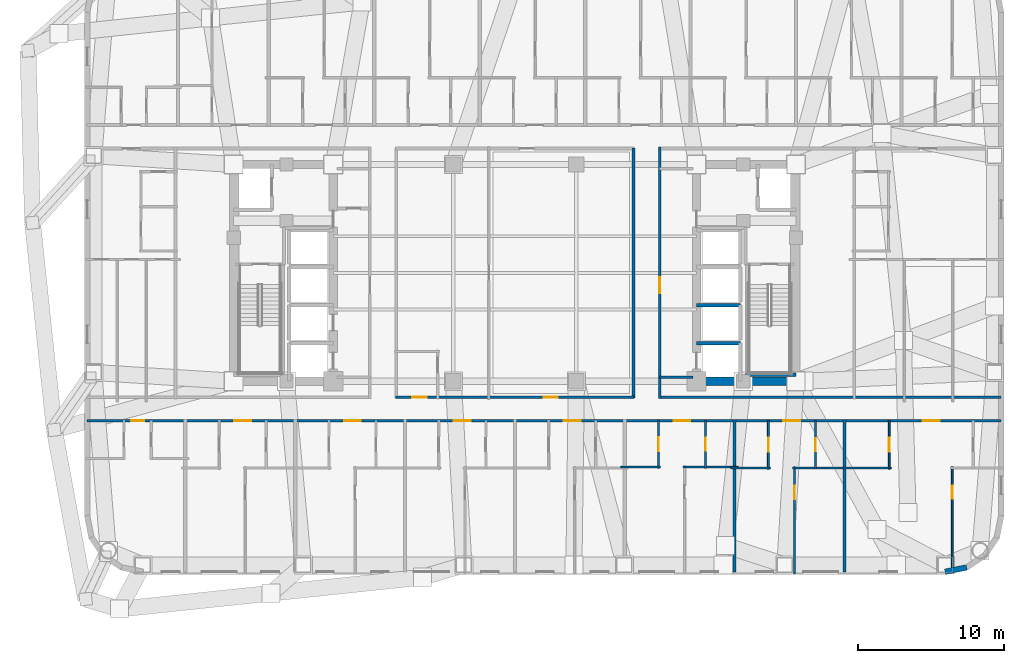
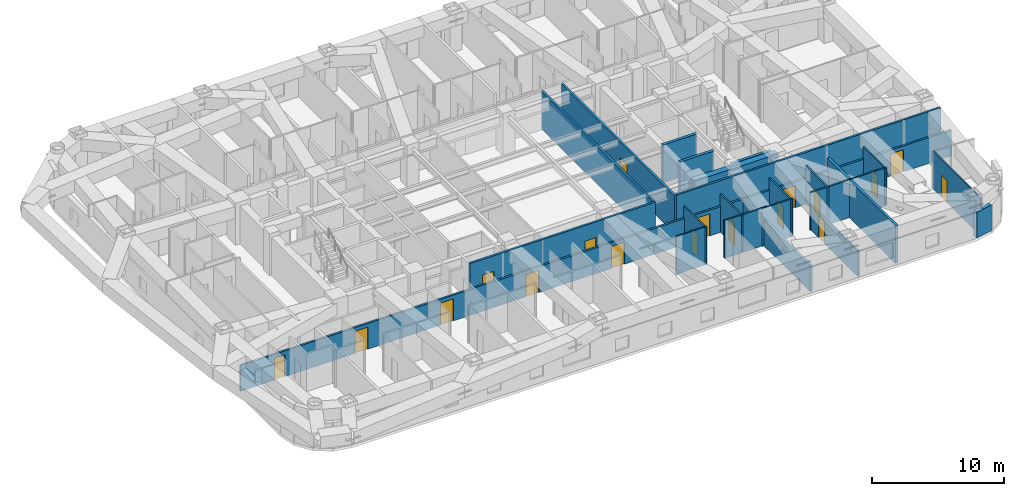
# One storey, part 7 of 14: 25 walls, 18 doors, 18 openings.
"""IFC4 building model written with IfcOpenShell, lengths in metres."""

from ifc_helpers import new_model, si_unit, direction, frame, frame_2d, origin, place, context, subcontext, project, spatial, rectangle, extrude, material, layer, layer_set, type_object, element, fill, save


model = new_model("IFC4")

# Units and contexts
model_context = context("Model", 3, precision=1e-05, world=origin(), true_north=direction((0.0, 1.0)))
body_context = subcontext(model_context, "Body", "Model", "MODEL_VIEW")
ifc_project = project(units=[si_unit("LENGTHUNIT", "METRE"), si_unit("AREAUNIT", "SQUARE_METRE"), si_unit("VOLUMEUNIT", "CUBIC_METRE"), si_unit("PLANEANGLEUNIT", "RADIAN"), si_unit("MASSUNIT", "GRAM", prefix="KILO")], contexts=[model_context])

# Site, building, storey
site_placement = place(None, origin())
site = spatial("IfcSite", under=ifc_project, at=site_placement, CompositionType="ELEMENT")
building_placement = place(site_placement, origin())
building = spatial("IfcBuilding", under=site, at=building_placement, Name="Voryun Gate Residences", CompositionType="ELEMENT")
storey_placement = place(building_placement, frame((0.0, 0.0, 136.5)))
storey = spatial("IfcBuildingStorey", under=building, at=storey_placement, Name="L33", CompositionType="ELEMENT", Elevation=136.5)

# Walls
ifc_material_1 = material(Name="Concrete C60/75", Category="concrete")
ifc_layer_1 = layer(ifc_material_1, 0.550048828125, Name="CW_CORE_550")
ifc_layer_set_1 = layer_set([ifc_layer_1], Name="Concrete C60/75")
wall_type_1 = type_object("IfcWallType", Name="CW_CORE_550", PredefinedType="SHEAR", material=ifc_layer_set_1)
wall_1_placement = place(storey_placement, frame((12.125, -7.39990234375, 0.0), z_axis=(0.0, 0.0, 1.0), x_axis=(1.0, 0.0, 0.0)))
element("IfcWall", 1, at=wall_1_placement, inside=storey, type_object=wall_type_1, Name="L33 Core shear wall CW-L33-ES", PredefinedType="SHEAR", context=body_context, shape_type="SweptSolid", body=[
    extrude(rectangle(XDim=7.35009765625, YDim=0.550048828125, at=frame_2d((3.675048828125, 0.0))), origin(), (0.0, 0.0, 1.0), 3.5),
])
ifc_material_2 = material(Name="Gypsum acoustic fireboard")
ifc_layer_2 = layer(ifc_material_2, 0.179931640625, Name="W_CORR_RATED_180")
ifc_layer_set_2 = layer_set([ifc_layer_2], Name="Gypsum acoustic fireboard")
wall_type_2 = type_object("IfcWallType", Name="W_CORR_RATED_180", PredefinedType="PARTITIONING", material=ifc_layer_set_2)
wall_2_placement = place(storey_placement, frame((9.8798828125, -7.1201171875, 0.0), z_axis=(0.0, 0.0, 1.0), x_axis=(1.0, 0.0, 0.0)))
element("IfcWall", 2, at=wall_2_placement, inside=storey, type_object=wall_type_2, Name="Partition wall WP-L33-PLBS-E", PredefinedType="PARTITIONING", context=body_context, shape_type="SweptSolid", body=[
    extrude(rectangle(XDim=2.27001953125, YDim=0.179931640625, at=frame_2d((1.135009765625, 0.0))), origin(), (0.0, 0.0, 1.0), 2.5400390625),
])

# Wall, opening, door
wall_3_placement = place(storey_placement, frame((9.89990234375, -8.580078125, 0.0), z_axis=(0.0, 0.0, 1.0), x_axis=(0.0, 1.0, 0.0)))
wall_3 = element("IfcWall", 3, at=wall_3_placement, inside=storey, type_object=wall_type_2, Name="Partition wall WP-L33-PLBE-FULL", PredefinedType="PARTITIONING", context=body_context, shape_type="SweptSolid", body=[
    extrude(rectangle(XDim=17.16015625, YDim=0.179931640625, at=frame_2d((8.580078125, 0.0))), origin(), (0.0, 0.0, 1.0), 3.5),
])
opening_1_placement = place(wall_3_placement, frame((7.172119140625, 0.0, 0.0)))
opening_1 = element("IfcOpeningElement", 4, at=opening_1_placement, cuts=wall_3, Name="Opening D-FD60-2", PredefinedType="OPENING", context=body_context, shape_type="SweptSolid", body=[
    extrude(rectangle(XDim=1.10009765625, YDim=2.050048828125, at=frame_2d((0.550048828125, 1.02490234375))), frame((0.0, 0.099853515625, 0.0), z_axis=(0.0, -1.0, 0.0), x_axis=(1.0, 0.0, 0.0)), (0.0, 0.0, 1.0), 0.199951171875),
])
ifc_material_3 = material(Name="Painted steel fire door", Category="steel")
door_type_1 = type_object("IfcDoorType", Name="DR_FD60_FFLOB_1100", OperationType="NOTDEFINED", PredefinedType="DOOR", material=ifc_material_3)
door_1_placement = place(opening_1_placement, origin())
door_1 = element("IfcDoor", 5, at=door_1_placement, inside=storey, type_object=door_type_1, Name="Door DR-L33-PLBE-COR", OperationType="SINGLE_SWING_RIGHT", OverallHeight=2.050048828125, OverallWidth=1.10009765625, PredefinedType="DOOR", context=body_context, shape_type="SweptSolid", body=[
    extrude(rectangle(XDim=1.10009765625, YDim=2.050048828125, at=frame_2d((0.550048828125, 1.02490234375))), frame((0.0, 0.02490234375, 0.0), z_axis=(0.0, -1.0, 0.0), x_axis=(1.0, 0.0, 0.0)), (0.0, 0.0, 1.0), 0.050048828125),
])
fill(opening_1, door_1)

# Wall
wall_4_placement = place(storey_placement, frame((9.8798828125, -8.489990234375, 0.0), z_axis=(0.0, 0.0, 1.0), x_axis=(1.0, 0.0, 0.0)))
element("IfcWall", 6, at=wall_4_placement, inside=storey, type_object=wall_type_2, Name="Partition wall WP-L33-CWING-ES", PredefinedType="PARTITIONING", context=body_context, shape_type="SweptSolid", body=[
    extrude(rectangle(XDim=23.330078125, YDim=0.179931640625, at=frame_2d((11.6650390625, 0.0))), origin(), (0.0, 0.0, 1.0), 3.5),
])

# Wall, openings, doors
wall_5_placement = place(storey_placement, frame((-8.14990234375, -8.489990234375, 0.0), z_axis=(0.0, 0.0, 1.0), x_axis=(1.0, 0.0, 0.0)))
wall_5 = element("IfcWall", 7, at=wall_5_placement, inside=storey, type_object=wall_type_2, Name="Partition wall WP-L33-Z1S", PredefinedType="PARTITIONING", context=body_context, shape_type="SweptSolid", body=[
    extrude(rectangle(XDim=16.2998046875, YDim=0.179931640625, at=frame_2d((8.14990234375, 0.0))), origin(), (0.0, 0.0, 1.0), 3.5),
])
opening_2_placement = place(wall_5_placement, frame((1.1298828125, 0.0, 0.0)))
opening_2 = element("IfcOpeningElement", 8, at=opening_2_placement, cuts=wall_5, Name="Opening D-AWC-1", PredefinedType="OPENING", context=body_context, shape_type="SweptSolid", body=[
    extrude(rectangle(XDim=1.0, YDim=2.050048828125, at=frame_2d((0.5, 1.02490234375))), frame((0.0, 0.099853515625, 0.0), z_axis=(0.0, -1.0, 0.0), x_axis=(1.0, 0.0, 0.0)), (0.0, 0.0, 1.0), 0.199951171875),
])
opening_3_placement = place(wall_5_placement, frame((10.1201171875, 0.0, 0.0)))
opening_3 = element("IfcOpeningElement", 9, at=opening_3_placement, cuts=wall_5, Name="Opening D-INT-1", PredefinedType="OPENING", context=body_context, shape_type="SweptSolid", body=[
    extrude(rectangle(XDim=0.949951171875, YDim=2.050048828125, at=frame_2d((0.47509765625, 1.02490234375))), frame((0.0, 0.099853515625, 0.0), z_axis=(0.0, -1.0, 0.0), x_axis=(1.0, 0.0, 0.0)), (0.0, 0.0, 1.0), 0.199951171875),
])
ifc_material_4 = material(Name="Architectural oak veneer")
door_type_2 = type_object("IfcDoorType", Name="DR_ACC_WC_1000", OperationType="NOTDEFINED", PredefinedType="DOOR", material=ifc_material_4)
door_2_placement = place(opening_2_placement, origin())
door_2 = element("IfcDoor", 10, at=door_2_placement, inside=storey, type_object=door_type_2, Name="Door DR-L33-CMWC-D", OperationType="SINGLE_SWING_LEFT", OverallHeight=2.050048828125, OverallWidth=1.0, PredefinedType="DOOR", context=body_context, shape_type="SweptSolid", body=[
    extrude(rectangle(XDim=1.0, YDim=2.050048828125, at=frame_2d((0.5, 1.02490234375))), frame((0.0, 0.02490234375, 0.0), z_axis=(0.0, -1.0, 0.0), x_axis=(1.0, 0.0, 0.0)), (0.0, 0.0, 1.0), 0.050048828125),
])
fill(opening_2, door_2)
ifc_material_5 = material(Name="Architectural oak veneer")
door_type_3 = type_object("IfcDoorType", Name="DR_INT_ROOM_950", OperationType="NOTDEFINED", PredefinedType="DOOR", material=ifc_material_5)
door_3_placement = place(opening_3_placement, origin())
door_3 = element("IfcDoor", 11, at=door_3_placement, inside=storey, type_object=door_type_3, Name="Door DR-L33-CMIDZ1S", OperationType="SINGLE_SWING_RIGHT", OverallHeight=2.050048828125, OverallWidth=0.949951171875, PredefinedType="DOOR", context=body_context, shape_type="SweptSolid", body=[
    extrude(rectangle(XDim=0.949951171875, YDim=2.050048828125, at=frame_2d((0.47509765625, 1.02490234375))), frame((0.0, 0.02490234375, 0.0), z_axis=(0.0, -1.0, 0.0), x_axis=(1.0, 0.0, 0.0)), (0.0, 0.0, 1.0), 0.050048828125),
])
fill(opening_3, door_3)

# Wall
wall_6_placement = place(storey_placement, frame((8.10009765625, -8.530029296875, 0.0), z_axis=(0.0, 0.0, 1.0), x_axis=(0.0, 1.0, 0.0)))
element("IfcWall", 12, at=wall_6_placement, inside=storey, type_object=wall_type_2, Name="Partition wall WP-L33-Z1E", PredefinedType="PARTITIONING", context=body_context, shape_type="SweptSolid", body=[
    extrude(rectangle(XDim=17.06005859375, YDim=0.179931640625, at=frame_2d((8.530029296875, 0.0))), origin(), (0.0, 0.0, 1.0), 3.5),
])

# Wall, openings, doors
wall_7_placement = place(storey_placement, frame((-29.2099609375, -10.10009765625, 0.0), z_axis=(0.0, 0.0, 1.0), x_axis=(1.0, 0.0, 0.0)))
wall_7 = element("IfcWall", 13, at=wall_7_placement, inside=storey, type_object=wall_type_2, Name="Partition wall WP-L33-SCORR", PredefinedType="PARTITIONING", context=body_context, shape_type="SweptSolid", body=[
    extrude(rectangle(XDim=62.419921875, YDim=0.179931640625, at=frame_2d((31.2099609375, 0.0))), origin(), (0.0, 0.0, 1.0), 2.389892578125),
])
opening_4_placement = place(wall_7_placement, frame((3.001708984375, 0.0, 0.0)))
opening_4 = element("IfcOpeningElement", 14, at=opening_4_placement, cuts=wall_7, Name="Opening D-INT-2", PredefinedType="OPENING", context=body_context, shape_type="SweptSolid", body=[
    extrude(rectangle(XDim=0.89990234375, YDim=2.050048828125, at=frame_2d((0.449951171875, 1.02490234375))), frame((0.0, 0.099853515625, 0.0), z_axis=(0.0, -1.0, 0.0), x_axis=(1.0, 0.0, 0.0)), (0.0, 0.0, 1.0), 0.199951171875),
])
opening_5_placement = place(wall_7_placement, frame((10.048828125, 0.0, 0.0)))
opening_5 = element("IfcOpeningElement", 15, at=opening_5_placement, cuts=wall_7, Name="Opening D-UNIT-1", PredefinedType="OPENING", context=body_context, shape_type="SweptSolid", body=[
    extrude(rectangle(XDim=1.14990234375, YDim=2.050048828125, at=frame_2d((0.574951171875, 1.02490234375))), frame((0.0, 0.099853515625, 0.0), z_axis=(0.0, -1.0, 0.0), x_axis=(1.0, 0.0, 0.0)), (0.0, 0.0, 1.0), 0.199951171875),
])
opening_6_placement = place(wall_7_placement, frame((17.5517578125, 0.0, 0.0)))
opening_6 = element("IfcOpeningElement", 16, at=opening_6_placement, cuts=wall_7, Name="Opening D-UNIT-1", PredefinedType="OPENING", context=body_context, shape_type="SweptSolid", body=[
    extrude(rectangle(XDim=1.14990234375, YDim=2.050048828125, at=frame_2d((0.574951171875, 1.02490234375))), frame((0.0, 0.099853515625, 0.0), z_axis=(0.0, -1.0, 0.0), x_axis=(1.0, 0.0, 0.0)), (0.0, 0.0, 1.0), 0.199951171875),
])
opening_7_placement = place(wall_7_placement, frame((25.04833984375, 0.0, 0.0)))
opening_7 = element("IfcOpeningElement", 17, at=opening_7_placement, cuts=wall_7, Name="Opening D-UNIT-1", PredefinedType="OPENING", context=body_context, shape_type="SweptSolid", body=[
    extrude(rectangle(XDim=1.14990234375, YDim=2.050048828125, at=frame_2d((0.574951171875, 1.02490234375))), frame((0.0, 0.099853515625, 0.0), z_axis=(0.0, -1.0, 0.0), x_axis=(1.0, 0.0, 0.0)), (0.0, 0.0, 1.0), 0.199951171875),
])
opening_8_placement = place(wall_7_placement, frame((32.55126953125, 0.0, 0.0)))
opening_8 = element("IfcOpeningElement", 18, at=opening_8_placement, cuts=wall_7, Name="Opening D-UNIT-1", PredefinedType="OPENING", context=body_context, shape_type="SweptSolid", body=[
    extrude(rectangle(XDim=1.14990234375, YDim=2.050048828125, at=frame_2d((0.574951171875, 1.02490234375))), frame((0.0, 0.099853515625, 0.0), z_axis=(0.0, -1.0, 0.0), x_axis=(1.0, 0.0, 0.0)), (0.0, 0.0, 1.0), 0.199951171875),
])
opening_9_placement = place(wall_7_placement, frame((40.0478515625, 0.0, 0.0)))
opening_9 = element("IfcOpeningElement", 19, at=opening_9_placement, cuts=wall_7, Name="Opening D-UNIT-1", PredefinedType="OPENING", context=body_context, shape_type="SweptSolid", body=[
    extrude(rectangle(XDim=1.14990234375, YDim=2.050048828125, at=frame_2d((0.574951171875, 1.02490234375))), frame((0.0, 0.099853515625, 0.0), z_axis=(0.0, -1.0, 0.0), x_axis=(1.0, 0.0, 0.0)), (0.0, 0.0, 1.0), 0.199951171875),
])
opening_10_placement = place(wall_7_placement, frame((47.55078125, 0.0, 0.0)))
opening_10 = element("IfcOpeningElement", 20, at=opening_10_placement, cuts=wall_7, Name="Opening D-UNIT-1", PredefinedType="OPENING", context=body_context, shape_type="SweptSolid", body=[
    extrude(rectangle(XDim=1.14990234375, YDim=2.050048828125, at=frame_2d((0.574951171875, 1.02490234375))), frame((0.0, 0.099853515625, 0.0), z_axis=(0.0, -1.0, 0.0), x_axis=(1.0, 0.0, 0.0)), (0.0, 0.0, 1.0), 0.199951171875),
])
opening_11_placement = place(wall_7_placement, frame((57.063720703125, 0.0, 0.0)))
opening_11 = element("IfcOpeningElement", 21, at=opening_11_placement, cuts=wall_7, Name="Opening D-UNIT-1", PredefinedType="OPENING", context=body_context, shape_type="SweptSolid", body=[
    extrude(rectangle(XDim=1.14990234375, YDim=2.050048828125, at=frame_2d((0.574951171875, 1.02490234375))), frame((0.0, 0.099853515625, 0.0), z_axis=(0.0, -1.0, 0.0), x_axis=(1.0, 0.0, 0.0)), (0.0, 0.0, 1.0), 0.199951171875),
])
ifc_material_6 = material(Name="Architectural oak veneer")
door_type_4 = type_object("IfcDoorType", Name="DR_INT_BATH_900", OperationType="NOTDEFINED", PredefinedType="DOOR", material=ifc_material_6)
door_4_placement = place(opening_4_placement, origin())
door_4 = element("IfcDoor", 22, at=door_4_placement, inside=storey, type_object=door_type_4, Name="Door DR-L33-SENT-1", OperationType="SINGLE_SWING_RIGHT", OverallHeight=2.050048828125, OverallWidth=0.89990234375, PredefinedType="DOOR", context=body_context, shape_type="SweptSolid", body=[
    extrude(rectangle(XDim=0.89990234375, YDim=2.050048828125, at=frame_2d((0.449951171875, 1.02490234375))), frame((0.0, 0.02490234375, 0.0), z_axis=(0.0, -1.0, 0.0), x_axis=(1.0, 0.0, 0.0)), (0.0, 0.0, 1.0), 0.050048828125),
])
fill(opening_4, door_4)
ifc_material_7 = material(Name="Armoured timber-clad fire door", Category="wood")
door_type_5 = type_object("IfcDoorType", Name="DR_UNIT_ENTRY_1150", OperationType="NOTDEFINED", PredefinedType="DOOR", material=ifc_material_7)
door_5_placement = place(opening_5_placement, origin())
door_5 = element("IfcDoor", 23, at=door_5_placement, inside=storey, type_object=door_type_5, Name="Door DR-L33-SENT-2", OperationType="SINGLE_SWING_LEFT", OverallHeight=2.050048828125, OverallWidth=1.14990234375, PredefinedType="DOOR", context=body_context, shape_type="SweptSolid", body=[
    extrude(rectangle(XDim=1.14990234375, YDim=2.050048828125, at=frame_2d((0.574951171875, 1.02490234375))), frame((0.0, 0.02490234375, 0.0), z_axis=(0.0, -1.0, 0.0), x_axis=(1.0, 0.0, 0.0)), (0.0, 0.0, 1.0), 0.050048828125),
])
fill(opening_5, door_5)
door_6_placement = place(opening_6_placement, origin())
door_6 = element("IfcDoor", 24, at=door_6_placement, inside=storey, type_object=door_type_5, Name="Door DR-L33-SENT-3", OperationType="SINGLE_SWING_RIGHT", OverallHeight=2.050048828125, OverallWidth=1.14990234375, PredefinedType="DOOR", context=body_context, shape_type="SweptSolid", body=[
    extrude(rectangle(XDim=1.14990234375, YDim=2.050048828125, at=frame_2d((0.574951171875, 1.02490234375))), frame((0.0, 0.02490234375, 0.0), z_axis=(0.0, -1.0, 0.0), x_axis=(1.0, 0.0, 0.0)), (0.0, 0.0, 1.0), 0.050048828125),
])
fill(opening_6, door_6)
door_7_placement = place(opening_7_placement, origin())
door_7 = element("IfcDoor", 25, at=door_7_placement, inside=storey, type_object=door_type_5, Name="Door DR-L33-SENT-4", OperationType="SINGLE_SWING_LEFT", OverallHeight=2.050048828125, OverallWidth=1.14990234375, PredefinedType="DOOR", context=body_context, shape_type="SweptSolid", body=[
    extrude(rectangle(XDim=1.14990234375, YDim=2.050048828125, at=frame_2d((0.574951171875, 1.02490234375))), frame((0.0, 0.02490234375, 0.0), z_axis=(0.0, -1.0, 0.0), x_axis=(1.0, 0.0, 0.0)), (0.0, 0.0, 1.0), 0.050048828125),
])
fill(opening_7, door_7)
door_8_placement = place(opening_8_placement, origin())
door_8 = element("IfcDoor", 26, at=door_8_placement, inside=storey, type_object=door_type_5, Name="Door DR-L33-SENT-5", OperationType="SINGLE_SWING_RIGHT", OverallHeight=2.050048828125, OverallWidth=1.14990234375, PredefinedType="DOOR", context=body_context, shape_type="SweptSolid", body=[
    extrude(rectangle(XDim=1.14990234375, YDim=2.050048828125, at=frame_2d((0.574951171875, 1.02490234375))), frame((0.0, 0.02490234375, 0.0), z_axis=(0.0, -1.0, 0.0), x_axis=(1.0, 0.0, 0.0)), (0.0, 0.0, 1.0), 0.050048828125),
])
fill(opening_8, door_8)
door_9_placement = place(opening_9_placement, origin())
door_9 = element("IfcDoor", 27, at=door_9_placement, inside=storey, type_object=door_type_5, Name="Door DR-L33-SENT-6", OperationType="SINGLE_SWING_LEFT", OverallHeight=2.050048828125, OverallWidth=1.14990234375, PredefinedType="DOOR", context=body_context, shape_type="SweptSolid", body=[
    extrude(rectangle(XDim=1.14990234375, YDim=2.050048828125, at=frame_2d((0.574951171875, 1.02490234375))), frame((0.0, 0.02490234375, 0.0), z_axis=(0.0, -1.0, 0.0), x_axis=(1.0, 0.0, 0.0)), (0.0, 0.0, 1.0), 0.050048828125),
])
fill(opening_9, door_9)
door_10_placement = place(opening_10_placement, origin())
door_10 = element("IfcDoor", 28, at=door_10_placement, inside=storey, type_object=door_type_5, Name="Door DR-L33-SENT-7", OperationType="SINGLE_SWING_RIGHT", OverallHeight=2.050048828125, OverallWidth=1.14990234375, PredefinedType="DOOR", context=body_context, shape_type="SweptSolid", body=[
    extrude(rectangle(XDim=1.14990234375, YDim=2.050048828125, at=frame_2d((0.574951171875, 1.02490234375))), frame((0.0, 0.02490234375, 0.0), z_axis=(0.0, -1.0, 0.0), x_axis=(1.0, 0.0, 0.0)), (0.0, 0.0, 1.0), 0.050048828125),
])
fill(opening_10, door_10)
door_11_placement = place(opening_11_placement, origin())
door_11 = element("IfcDoor", 29, at=door_11_placement, inside=storey, type_object=door_type_5, Name="Door DR-L33-SENT-8", OperationType="SINGLE_SWING_LEFT", OverallHeight=2.050048828125, OverallWidth=1.14990234375, PredefinedType="DOOR", context=body_context, shape_type="SweptSolid", body=[
    extrude(rectangle(XDim=1.14990234375, YDim=2.050048828125, at=frame_2d((0.574951171875, 1.02490234375))), frame((0.0, 0.02490234375, 0.0), z_axis=(0.0, -1.0, 0.0), x_axis=(1.0, 0.0, 0.0)), (0.0, 0.0, 1.0), 0.050048828125),
])
fill(opening_11, door_11)

# Walls
ifc_material_8 = material(Name="Granite masonry", Category="masonry")
ifc_layer_3 = layer(ifc_material_8, 0.3798828125, Name="W_EXT_GRANITE_380")
ifc_layer_set_3 = layer_set([ifc_layer_3], Name="Granite masonry")
wall_type_3 = type_object("IfcWallType", Name="W_EXT_GRANITE_380", PredefinedType="ELEMENTEDWALL", material=ifc_layer_set_3)
wall_8_placement = place(storey_placement, frame((30.856689453125, -20.116455078125, 0.0), z_axis=(0.0, 0.0, 1.0), x_axis=(-0.980786132421, -0.195086038585, 0.0)))
element("IfcWall", 30, at=wall_8_placement, inside=storey, type_object=wall_type_3, Name="Exterior wall WEXT-L33-20", PredefinedType="ELEMENTEDWALL", context=body_context, shape_type="SweptSolid", body=[
    extrude(rectangle(XDim=1.504150390625, YDim=0.3798828125, at=frame_2d((0.751953125, 0.0))), origin(), (0.0, 0.0, 1.0), 2.389892578125),
])
ifc_material_9 = material(Name="Concrete C40/50", Category="concrete")
ifc_layer_4 = layer(ifc_material_9, 0.219970703125, Name="W_PARTY_ACOUSTIC_220")
ifc_layer_set_4 = layer_set([ifc_layer_4], Name="Concrete C40/50")
wall_type_4 = type_object("IfcWallType", Name="W_PARTY_ACOUSTIC_220", PredefinedType="PARTITIONING", material=ifc_layer_set_4)
wall_9_placement = place(storey_placement, frame((15.0, -20.409912109375, 0.0), z_axis=(0.0, 0.0, 1.0), x_axis=(0.0, 1.0, 0.0)))
element("IfcWall", 31, at=wall_9_placement, inside=storey, type_object=wall_type_4, Name="Partition wall WP-L33-SPTY-6", PredefinedType="PARTITIONING", context=body_context, shape_type="SweptSolid", body=[
    extrude(rectangle(XDim=10.389892578125, YDim=0.219970703125, at=frame_2d((5.19482421875, 0.0))), origin(), (0.0, 0.0, 1.0), 2.389892578125),
])
wall_10_placement = place(storey_placement, frame((22.5, -20.409912109375, 0.0), z_axis=(0.0, 0.0, 1.0), x_axis=(0.0, 1.0, 0.0)))
element("IfcWall", 32, at=wall_10_placement, inside=storey, type_object=wall_type_4, Name="Partition wall WP-L33-SPTY-7", PredefinedType="PARTITIONING", context=body_context, shape_type="SweptSolid", body=[
    extrude(rectangle(XDim=10.389892578125, YDim=0.219970703125, at=frame_2d((5.19482421875, 0.0))), origin(), (0.0, 0.0, 1.0), 3.5),
])
ifc_material_10 = material(Name="Concrete C50/60", Category="concrete")
ifc_layer_5 = layer(ifc_material_10, 0.25, Name="W_SHAFT_RC250")
ifc_layer_set_5 = layer_set([ifc_layer_5], Name="Concrete C50/60")
wall_type_5 = type_object("IfcWallType", Name="W_SHAFT_RC250", PredefinedType="SOLIDWALL", material=ifc_layer_set_5)
wall_11_placement = place(storey_placement, frame((15.739990234375, -6.965087890625, 0.0), z_axis=(0.0, 0.0, 1.0), x_axis=(1.0, 0.0, 0.0)))
element("IfcWall", 33, at=wall_11_placement, inside=storey, type_object=wall_type_5, Name="L33 Stair shaft structural wall E-STS", PredefinedType="SOLIDWALL", context=body_context, shape_type="SweptSolid", body=[
    extrude(rectangle(XDim=3.4599609375, YDim=0.25, at=frame_2d((1.72998046875, 0.0))), origin(), (0.0, 0.0, 1.0), 3.5),
])
for number, where, z_axis, x_axis, name in (
    (34, (15.39990234375, -4.800048828125, 0.0), (0.0, 0.0, 1.0), (-1.0, 0.0, 0.0), "Lift shaft wall WSH-L33-EL-P3-N"),
    (35, (15.39990234375, -2.199951171875, 0.0), (0.0, 0.0, 1.0), (-1.0, 0.0, 0.0), "Lift shaft wall WSH-L33-EL-P5-N"),
):
    element("IfcWall", number, at=place(storey_placement, frame(where, z_axis=z_axis, x_axis=x_axis)), inside=storey, type_object=wall_type_5, Name=name, PredefinedType="SOLIDWALL", context=body_context, shape_type="SweptSolid", body=[
        extrude(rectangle(XDim=3.0, YDim=0.25, at=frame_2d((1.5, 0.0))), origin(), (0.0, 0.0, 1.0), 3.5),
    ])

# Wall, opening, door
ifc_material_11 = material(Name="Gypsum acoustic partition")
ifc_layer_6 = layer(ifc_material_11, 0.125, Name="W_UNIT_PART_125")
ifc_layer_set_6 = layer_set([ifc_layer_6], Name="Gypsum acoustic partition")
wall_type_6 = type_object("IfcWallType", Name="W_UNIT_PART_125", PredefinedType="PARTITIONING", material=ifc_layer_set_6)
wall_12_placement = place(storey_placement, frame((9.81005859375, -13.341064453125, 0.0), z_axis=(0.0, 0.0, 1.0), x_axis=(0.0, 1.0, 0.0)))
wall_12 = element("IfcWall", 36, at=wall_12_placement, inside=storey, type_object=wall_type_6, Name="Partition wall WP-L33-S6-IVK", PredefinedType="PARTITIONING", context=body_context, shape_type="SweptSolid", body=[
    extrude(rectangle(XDim=3.260986328125, YDim=0.125, at=frame_2d((1.63037109375, 0.0))), origin(), (0.0, 0.0, 1.0), 3.5),
])
opening_12_placement = place(wall_12_placement, frame((1.155517578125, 0.0, 0.0)))
opening_12 = element("IfcOpeningElement", 37, at=opening_12_placement, cuts=wall_12, Name="Opening D-INT-1", PredefinedType="OPENING", context=body_context, shape_type="SweptSolid", body=[
    extrude(rectangle(XDim=0.949951171875, YDim=2.050048828125, at=frame_2d((0.47509765625, 1.02490234375))), frame((0.0, 0.072509765625, 0.0), z_axis=(0.0, -1.0, 0.0), x_axis=(1.0, 0.0, 0.0)), (0.0, 0.0, 1.0), 0.14501953125),
])
door_12_placement = place(opening_12_placement, origin())
door_12 = element("IfcDoor", 38, at=door_12_placement, inside=storey, type_object=door_type_3, Name="Door DR-L33-S6-DK", OperationType="SINGLE_SWING_LEFT", OverallHeight=2.050048828125, OverallWidth=0.949951171875, PredefinedType="DOOR", context=body_context, shape_type="SweptSolid", body=[
    extrude(rectangle(XDim=0.949951171875, YDim=2.050048828125, at=frame_2d((0.47509765625, 1.02490234375))), frame((0.0, 0.02490234375, 0.0), z_axis=(0.0, -1.0, 0.0), x_axis=(1.0, 0.0, 0.0)), (0.0, 0.0, 1.0), 0.050048828125),
])
fill(opening_12, door_12)

# Wall
wall_13_placement = place(storey_placement, frame((7.239990234375, -13.260986328125, 0.0), z_axis=(0.0, 0.0, 1.0), x_axis=(1.0, 0.0, 0.0)))
element("IfcWall", 39, at=wall_13_placement, inside=storey, type_object=wall_type_6, Name="Partition wall WP-L33-S6-HZK", PredefinedType="PARTITIONING", context=body_context, shape_type="SweptSolid", body=[
    extrude(rectangle(XDim=2.68994140625, YDim=0.125, at=frame_2d((1.344970703125, 0.0))), origin(), (0.0, 0.0, 1.0), 3.5),
])

# Wall, opening, door
wall_14_placement = place(storey_placement, frame((19.090087890625, -20.56005859375, 0.0), z_axis=(0.0, 0.0, 1.0), x_axis=(0.0, 1.0, 0.0)))
wall_14 = element("IfcWall", 40, at=wall_14_placement, inside=storey, type_object=wall_type_6, Name="Partition wall WP-L33-S7-OVR", PredefinedType="PARTITIONING", context=body_context, shape_type="SweptSolid", body=[
    extrude(rectangle(XDim=7.320068359375, YDim=0.125, at=frame_2d((3.66015625, 0.0))), origin(), (0.0, 0.0, 1.0), 2.389892578125),
])
opening_13_placement = place(wall_14_placement, frame((5.11328125, 0.0, 0.0)))
opening_13 = element("IfcOpeningElement", 41, at=opening_13_placement, cuts=wall_14, Name="Opening D-INT-2", PredefinedType="OPENING", context=body_context, shape_type="SweptSolid", body=[
    extrude(rectangle(XDim=0.89990234375, YDim=2.050048828125, at=frame_2d((0.449951171875, 1.02490234375))), frame((0.0, 0.072509765625, 0.0), z_axis=(0.0, -1.0, 0.0), x_axis=(1.0, 0.0, 0.0)), (0.0, 0.0, 1.0), 0.14501953125),
])
door_13_placement = place(opening_13_placement, origin())
door_13 = element("IfcDoor", 42, at=door_13_placement, inside=storey, type_object=door_type_4, Name="Door DR-L33-S7-DMB", OperationType="SINGLE_SWING_RIGHT", OverallHeight=2.050048828125, OverallWidth=0.89990234375, PredefinedType="DOOR", context=body_context, shape_type="SweptSolid", body=[
    extrude(rectangle(XDim=0.89990234375, YDim=2.050048828125, at=frame_2d((0.449951171875, 1.02490234375))), frame((0.0, 0.02490234375, 0.0), z_axis=(0.0, -1.0, 0.0), x_axis=(1.0, 0.0, 0.0)), (0.0, 0.0, 1.0), 0.050048828125),
])
fill(opening_13, door_13)

wall_15_placement = place(storey_placement, frame((17.31005859375, -13.39990234375, 0.0), z_axis=(0.0, 0.0, 1.0), x_axis=(0.0, 1.0, 0.0)))
wall_15 = element("IfcWall", 43, at=wall_15_placement, inside=storey, type_object=wall_type_6, Name="Partition wall WP-L33-S7-IVK", PredefinedType="PARTITIONING", context=body_context, shape_type="SweptSolid", body=[
    extrude(rectangle(XDim=3.31982421875, YDim=0.125, at=frame_2d((1.659912109375, 0.0))), origin(), (0.0, 0.0, 1.0), 3.5),
])
opening_14_placement = place(wall_15_placement, frame((1.18505859375, 0.0, 0.0)))
opening_14 = element("IfcOpeningElement", 44, at=opening_14_placement, cuts=wall_15, Name="Opening D-INT-1", PredefinedType="OPENING", context=body_context, shape_type="SweptSolid", body=[
    extrude(rectangle(XDim=0.949951171875, YDim=2.050048828125, at=frame_2d((0.47509765625, 1.02490234375))), frame((0.0, 0.072509765625, 0.0), z_axis=(0.0, -1.0, 0.0), x_axis=(1.0, 0.0, 0.0)), (0.0, 0.0, 1.0), 0.14501953125),
])
door_14_placement = place(opening_14_placement, origin())
door_14 = element("IfcDoor", 45, at=door_14_placement, inside=storey, type_object=door_type_3, Name="Door DR-L33-S7-DK", OperationType="SINGLE_SWING_LEFT", OverallHeight=2.050048828125, OverallWidth=0.949951171875, PredefinedType="DOOR", context=body_context, shape_type="SweptSolid", body=[
    extrude(rectangle(XDim=0.949951171875, YDim=2.050048828125, at=frame_2d((0.47509765625, 1.02490234375))), frame((0.0, 0.02490234375, 0.0), z_axis=(0.0, -1.0, 0.0), x_axis=(1.0, 0.0, 0.0)), (0.0, 0.0, 1.0), 0.050048828125),
])
fill(opening_14, door_14)

# Wall
wall_16_placement = place(storey_placement, frame((14.739990234375, -13.320068359375, 0.0), z_axis=(0.0, 0.0, 1.0), x_axis=(1.0, 0.0, 0.0)))
element("IfcWall", 46, at=wall_16_placement, inside=storey, type_object=wall_type_6, Name="Partition wall WP-L33-S7-HZK", PredefinedType="PARTITIONING", context=body_context, shape_type="SweptSolid", body=[
    extrude(rectangle(XDim=2.68994140625, YDim=0.125, at=frame_2d((1.344970703125, 0.0))), origin(), (0.0, 0.0, 1.0), 3.5),
])

# Wall, opening, door
wall_17_placement = place(storey_placement, frame((29.867919921875, -20.466064453125, 0.0), z_axis=(0.0, 0.0, 1.0), x_axis=(0.0, 1.0, 0.0)))
wall_17 = element("IfcWall", 47, at=wall_17_placement, inside=storey, type_object=wall_type_6, Name="Partition wall WP-L33-S8-OVR", PredefinedType="PARTITIONING", context=body_context, shape_type="SweptSolid", body=[
    extrude(rectangle(XDim=7.22607421875, YDim=0.125, at=frame_2d((3.613037109375, 0.0))), origin(), (0.0, 0.0, 1.0), 3.5),
])
opening_15_placement = place(wall_17_placement, frame((5.041748046875, 0.0, 0.0)))
opening_15 = element("IfcOpeningElement", 48, at=opening_15_placement, cuts=wall_17, Name="Opening D-INT-2", PredefinedType="OPENING", context=body_context, shape_type="SweptSolid", body=[
    extrude(rectangle(XDim=0.89990234375, YDim=2.050048828125, at=frame_2d((0.449951171875, 1.02490234375))), frame((0.0, 0.072509765625, 0.0), z_axis=(0.0, -1.0, 0.0), x_axis=(1.0, 0.0, 0.0)), (0.0, 0.0, 1.0), 0.14501953125),
])
door_15_placement = place(opening_15_placement, origin())
door_15 = element("IfcDoor", 49, at=door_15_placement, inside=storey, type_object=door_type_4, Name="Door DR-L33-S8-DMB", OperationType="SINGLE_SWING_RIGHT", OverallHeight=2.050048828125, OverallWidth=0.89990234375, PredefinedType="DOOR", context=body_context, shape_type="SweptSolid", body=[
    extrude(rectangle(XDim=0.89990234375, YDim=2.050048828125, at=frame_2d((0.449951171875, 1.02490234375))), frame((0.0, 0.02490234375, 0.0), z_axis=(0.0, -1.0, 0.0), x_axis=(1.0, 0.0, 0.0)), (0.0, 0.0, 1.0), 0.050048828125),
])
fill(opening_15, door_15)

wall_18_placement = place(storey_placement, frame((25.56494140625, -13.39990234375, 0.0), z_axis=(0.0, 0.0, 1.0), x_axis=(0.0, 1.0, 0.0)))
wall_18 = element("IfcWall", 50, at=wall_18_placement, inside=storey, type_object=wall_type_6, Name="Partition wall WP-L33-S8-IVK", PredefinedType="PARTITIONING", context=body_context, shape_type="SweptSolid", body=[
    extrude(rectangle(XDim=3.31982421875, YDim=0.125, at=frame_2d((1.659912109375, 0.0))), origin(), (0.0, 0.0, 1.0), 3.5),
])
opening_16_placement = place(wall_18_placement, frame((1.18505859375, 0.0, 0.0)))
opening_16 = element("IfcOpeningElement", 51, at=opening_16_placement, cuts=wall_18, Name="Opening D-INT-1", PredefinedType="OPENING", context=body_context, shape_type="SweptSolid", body=[
    extrude(rectangle(XDim=0.949951171875, YDim=2.050048828125, at=frame_2d((0.47509765625, 1.02490234375))), frame((0.0, 0.072509765625, 0.0), z_axis=(0.0, -1.0, 0.0), x_axis=(1.0, 0.0, 0.0)), (0.0, 0.0, 1.0), 0.14501953125),
])
door_16_placement = place(opening_16_placement, origin())
door_16 = element("IfcDoor", 52, at=door_16_placement, inside=storey, type_object=door_type_3, Name="Door DR-L33-S8-DK", OperationType="SINGLE_SWING_LEFT", OverallHeight=2.050048828125, OverallWidth=0.949951171875, PredefinedType="DOOR", context=body_context, shape_type="SweptSolid", body=[
    extrude(rectangle(XDim=0.949951171875, YDim=2.050048828125, at=frame_2d((0.47509765625, 1.02490234375))), frame((0.0, 0.02490234375, 0.0), z_axis=(0.0, -1.0, 0.0), x_axis=(1.0, 0.0, 0.0)), (0.0, 0.0, 1.0), 0.050048828125),
])
fill(opening_16, door_16)

# Walls
wall_19_placement = place(storey_placement, frame((22.425048828125, -13.320068359375, 0.0), z_axis=(0.0, 0.0, 1.0), x_axis=(1.0, 0.0, 0.0)))
element("IfcWall", 53, at=wall_19_placement, inside=storey, type_object=wall_type_6, Name="Partition wall WP-L33-S8-HZK", PredefinedType="PARTITIONING", context=body_context, shape_type="SweptSolid", body=[
    extrude(rectangle(XDim=3.260009765625, YDim=0.125, at=frame_2d((1.6298828125, 0.0))), origin(), (0.0, 0.0, 1.0), 3.5),
])
ifc_material_12 = material(Name="Gypsum moisture-resistant partition")
ifc_layer_7 = layer(ifc_material_12, 0.14990234375, Name="W_WET_PLUMB_150")
ifc_layer_set_7 = layer_set([ifc_layer_7], Name="Gypsum moisture-resistant partition")
wall_type_7 = type_object("IfcWallType", Name="W_WET_PLUMB_150", PredefinedType="PLUMBINGWALL", material=ifc_layer_set_7)
wall_20_placement = place(storey_placement, frame((11.469970703125, -13.260986328125, 0.0), z_axis=(0.0, 0.0, 1.0), x_axis=(1.0, 0.0, 0.0)))
element("IfcWall", 54, at=wall_20_placement, inside=storey, type_object=wall_type_7, Name="Partition wall WP-L33-S6-HZB", PredefinedType="PLUMBINGWALL", context=body_context, shape_type="SweptSolid", body=[
    extrude(rectangle(XDim=3.7900390625, YDim=0.14990234375, at=frame_2d((1.89501953125, 0.0))), origin(), (0.0, 0.0, 1.0), 3.5),
])

# Wall, opening, door
wall_21_placement = place(storey_placement, frame((13.02001953125, -13.341064453125, 0.0), z_axis=(0.0, 0.0, 1.0), x_axis=(0.0, 1.0, 0.0)))
wall_21 = element("IfcWall", 55, at=wall_21_placement, inside=storey, type_object=wall_type_7, Name="Partition wall WP-L33-S6-IVB", PredefinedType="PLUMBINGWALL", context=body_context, shape_type="SweptSolid", body=[
    extrude(rectangle(XDim=3.260986328125, YDim=0.14990234375, at=frame_2d((1.63037109375, 0.0))), origin(), (0.0, 0.0, 1.0), 3.5),
])
opening_17_placement = place(wall_21_placement, frame((1.180419921875, 0.0, 0.0)))
opening_17 = element("IfcOpeningElement", 56, at=opening_17_placement, cuts=wall_21, Name="Opening D-INT-2", PredefinedType="OPENING", context=body_context, shape_type="SweptSolid", body=[
    extrude(rectangle(XDim=0.89990234375, YDim=2.050048828125, at=frame_2d((0.449951171875, 1.02490234375))), frame((0.0, 0.0849609375, 0.0), z_axis=(0.0, -1.0, 0.0), x_axis=(1.0, 0.0, 0.0)), (0.0, 0.0, 1.0), 0.169921875),
])
door_17_placement = place(opening_17_placement, origin())
door_17 = element("IfcDoor", 57, at=door_17_placement, inside=storey, type_object=door_type_4, Name="Door DR-L33-S6-DB", OperationType="SINGLE_SWING_RIGHT", OverallHeight=2.050048828125, OverallWidth=0.89990234375, PredefinedType="DOOR", context=body_context, shape_type="SweptSolid", body=[
    extrude(rectangle(XDim=0.89990234375, YDim=2.050048828125, at=frame_2d((0.449951171875, 1.02490234375))), frame((0.0, 0.02490234375, 0.0), z_axis=(0.0, -1.0, 0.0), x_axis=(1.0, 0.0, 0.0)), (0.0, 0.0, 1.0), 0.050048828125),
])
fill(opening_17, door_17)

# Wall
wall_22_placement = place(storey_placement, frame((18.969970703125, -13.320068359375, 0.0), z_axis=(0.0, 0.0, 1.0), x_axis=(1.0, 0.0, 0.0)))
element("IfcWall", 58, at=wall_22_placement, inside=storey, type_object=wall_type_7, Name="Partition wall WP-L33-S7-HZB", PredefinedType="PLUMBINGWALL", context=body_context, shape_type="SweptSolid", body=[
    extrude(rectangle(XDim=3.60498046875, YDim=0.14990234375, at=frame_2d((1.802490234375, 0.0))), origin(), (0.0, 0.0, 1.0), 3.5),
])

# Wall, opening, door
wall_23_placement = place(storey_placement, frame((20.52001953125, -13.39990234375, 0.0), z_axis=(0.0, 0.0, 1.0), x_axis=(0.0, 1.0, 0.0)))
wall_23 = element("IfcWall", 59, at=wall_23_placement, inside=storey, type_object=wall_type_7, Name="Partition wall WP-L33-S7-IVB", PredefinedType="PLUMBINGWALL", context=body_context, shape_type="SweptSolid", body=[
    extrude(rectangle(XDim=3.31982421875, YDim=0.14990234375, at=frame_2d((1.659912109375, 0.0))), origin(), (0.0, 0.0, 1.0), 3.5),
])
opening_18_placement = place(wall_23_placement, frame((1.2099609375, 0.0, 0.0)))
opening_18 = element("IfcOpeningElement", 60, at=opening_18_placement, cuts=wall_23, Name="Opening D-INT-2", PredefinedType="OPENING", context=body_context, shape_type="SweptSolid", body=[
    extrude(rectangle(XDim=0.89990234375, YDim=2.050048828125, at=frame_2d((0.449951171875, 1.02490234375))), frame((0.0, 0.0849609375, 0.0), z_axis=(0.0, -1.0, 0.0), x_axis=(1.0, 0.0, 0.0)), (0.0, 0.0, 1.0), 0.169921875),
])
door_18_placement = place(opening_18_placement, origin())
door_18 = element("IfcDoor", 61, at=door_18_placement, inside=storey, type_object=door_type_4, Name="Door DR-L33-S7-DB", OperationType="SINGLE_SWING_RIGHT", OverallHeight=2.050048828125, OverallWidth=0.89990234375, PredefinedType="DOOR", context=body_context, shape_type="SweptSolid", body=[
    extrude(rectangle(XDim=0.89990234375, YDim=2.050048828125, at=frame_2d((0.449951171875, 1.02490234375))), frame((0.0, 0.02490234375, 0.0), z_axis=(0.0, -1.0, 0.0), x_axis=(1.0, 0.0, 0.0)), (0.0, 0.0, 1.0), 0.050048828125),
])
fill(opening_18, door_18)

save(model, "model.ifc")
